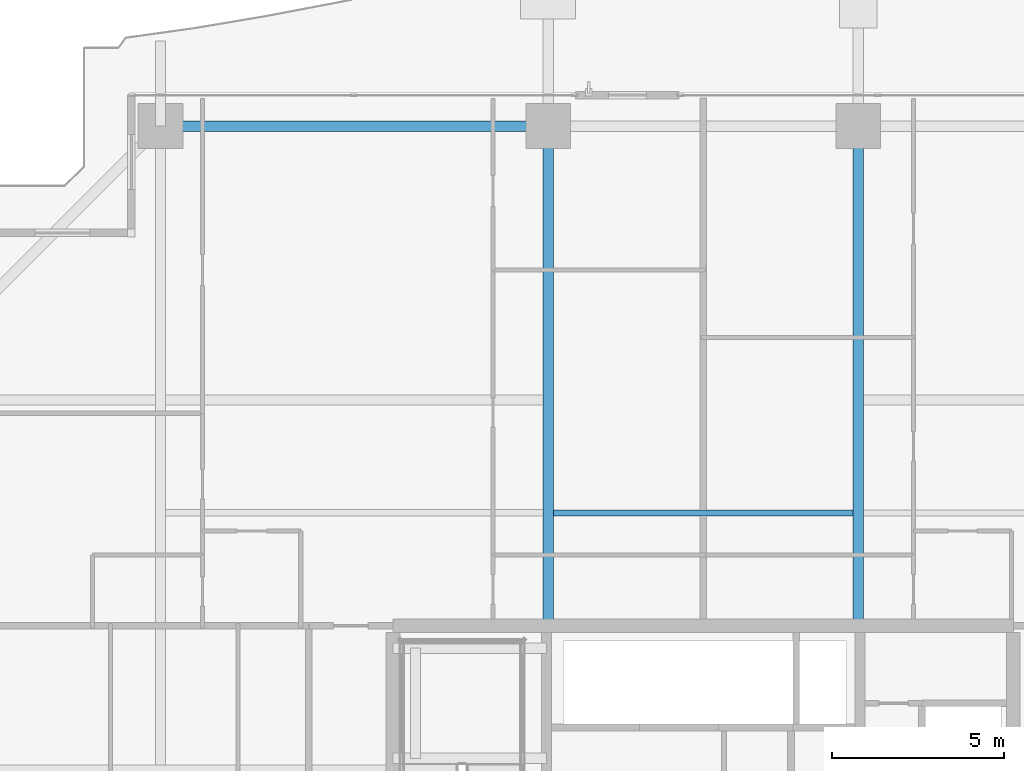
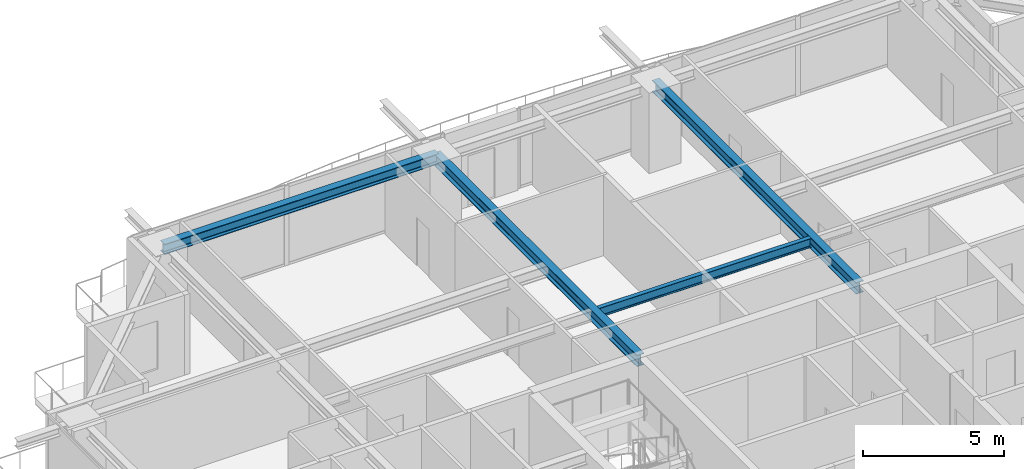
# One storey, part 19 of 39: 4 beams.
"""IFC4 building model written with IfcOpenShell, lengths in metres."""

from ifc_helpers import new_model, si_unit, direction, frame, origin, origin_2d, place, context, subcontext, project, spatial, i_section, extrude, source, transform, mapped, material, material_profile, profile_set, type_object, element, save


model = new_model("IFC4")

# Units and contexts
model_context = context("Model", 3, precision=1e-05, world=origin(), true_north=direction((0.0, 1.0)))
body_context = subcontext(model_context, "Body", "Model", "MODEL_VIEW")
ifc_project = project(units=[si_unit("LENGTHUNIT", "METRE"), si_unit("AREAUNIT", "SQUARE_METRE"), si_unit("VOLUMEUNIT", "CUBIC_METRE"), si_unit("PLANEANGLEUNIT", "RADIAN"), si_unit("MASSUNIT", "GRAM", prefix="KILO")], contexts=[model_context])

# Site, building, storey
site_placement = place(None, origin())
site = spatial("IfcSite", under=ifc_project, at=site_placement, CompositionType="ELEMENT")
building_placement = place(site_placement, origin())
building = spatial("IfcBuilding", under=site, at=building_placement, Name="Serunith Strait Residences", CompositionType="ELEMENT")
storey_placement = place(building_placement, frame((0.0, 0.0, 123.89990234375)))
storey = spatial("IfcBuildingStorey", under=building, at=storey_placement, Name="L30", CompositionType="ELEMENT", Elevation=123.89990234375)

# Beams
ifc_material = material(Name="Steel S355J2", Category="steel")
ifc_material_profile_1 = material_profile(ifc_material, i_section(OverallWidth=0.179931640625, OverallDepth=0.39990234375, WebThickness=0.008544921875, FlangeThickness=0.013427734375, FilletRadius=0.02099609375, at=origin_2d()), Name="IPE 400")
ifc_profile_set_1 = profile_set([ifc_material_profile_1], Name="Steel S355J2")
beam_type_1 = type_object("IfcBeamType", Name="BM-IPE400", PredefinedType="JOIST", material=ifc_profile_set_1)
shared_shape_1 = source(origin(), body_context, "Body", "SweptSolid", [
    extrude(i_section(OverallWidth=0.179931640625, OverallDepth=0.39990234375, WebThickness=0.008544921875, FlangeThickness=0.013427734375, FilletRadius=0.02099609375, at=origin_2d()), origin(), (0.0, 0.0, 1.0), 8.699951171875),
])
beam_1_placement = place(storey_placement, frame((28.050048828125, 36.875, 3.287109375), z_axis=(1.0, 0.0, 0.0), x_axis=(0.0, 1.0, 0.0)))
element("IfcBeam", 1, at=beam_1_placement, inside=storey, type_object=beam_type_1, Name="L30 Composite Floor Joist 05", PredefinedType="JOIST", context=body_context, shape_type="MappedRepresentation", body=[
    mapped(shared_shape_1, transform((0.0, 0.0, 0.0), scale=1.0)),
])
ifc_material_profile_2 = material_profile(ifc_material, i_section(OverallWidth=0.300048828125, OverallDepth=0.5, WebThickness=0.014404296875, FlangeThickness=0.028076171875, FilletRadius=0.027099609375, at=origin_2d()), Name="HEB 500")
ifc_profile_set_2 = profile_set([ifc_material_profile_2], Name="Steel S355J2")
beam_type_2 = type_object("IfcBeamType", Name="BM-HEB500", PredefinedType="BEAM", material=ifc_profile_set_2)
shared_shape_2 = source(origin(), body_context, "Body", "SweptSolid", [
    extrude(i_section(OverallWidth=0.300048828125, OverallDepth=0.5, WebThickness=0.014404296875, FlangeThickness=0.028076171875, FilletRadius=0.027099609375, at=origin_2d()), origin(), (0.0, 0.0, 1.0), 14.5),
])
for number, where, z_axis, x_axis, name in (
    (2, (27.89990234375, 33.60009765625, 3.237060546875), (0.0, 1.0, 0.0), (-1.0, 0.0, 0.0), "L30 Primary Floor Girder TC-N2"),
    (3, (36.89990234375, 33.60009765625, 3.237060546875), (0.0, 1.0, 0.0), (-1.0, 0.0, 0.0), "L30 Primary Floor Girder TC-N3"),
):
    element("IfcBeam", number, at=place(storey_placement, frame(where, z_axis=z_axis, x_axis=x_axis)), inside=storey, type_object=beam_type_2, Name=name, PredefinedType="BEAM", context=body_context, shape_type="MappedRepresentation", body=[
        mapped(shared_shape_2, transform((0.0, 0.0, 0.0), scale=1.0)),
    ])
ifc_material_profile_3 = material_profile(ifc_material, i_section(OverallWidth=0.300048828125, OverallDepth=0.449951171875, WebThickness=0.013916015625, FlangeThickness=0.02587890625, FilletRadius=0.027099609375, at=origin_2d()), Name="HEB 450")
ifc_profile_set_3 = profile_set([ifc_material_profile_3], Name="Steel S355J2")
beam_type_3 = type_object("IfcBeamType", Name="BM-HEB450", PredefinedType="BEAM", material=ifc_profile_set_3)
shared_shape_3 = source(origin(), body_context, "Body", "SweptSolid", [
    extrude(i_section(OverallWidth=0.300048828125, OverallDepth=0.449951171875, WebThickness=0.013916015625, FlangeThickness=0.02587890625, FilletRadius=0.027099609375, at=origin_2d()), origin(), (0.0, 0.0, 1.0), 11.25),
])
beam_2_placement = place(storey_placement, frame((27.89990234375, 48.10009765625, 3.26220703125), z_axis=(-1.0, 0.0, 0.0), x_axis=(0.0, -1.0, 0.0)))
element("IfcBeam", 4, at=beam_2_placement, inside=storey, type_object=beam_type_3, Name="L30 Perimeter Ring Beam 11", PredefinedType="BEAM", context=body_context, shape_type="MappedRepresentation", body=[
    mapped(shared_shape_3, transform((0.0, 0.0, 0.0), scale=1.0)),
])

save(model, "model.ifc")
